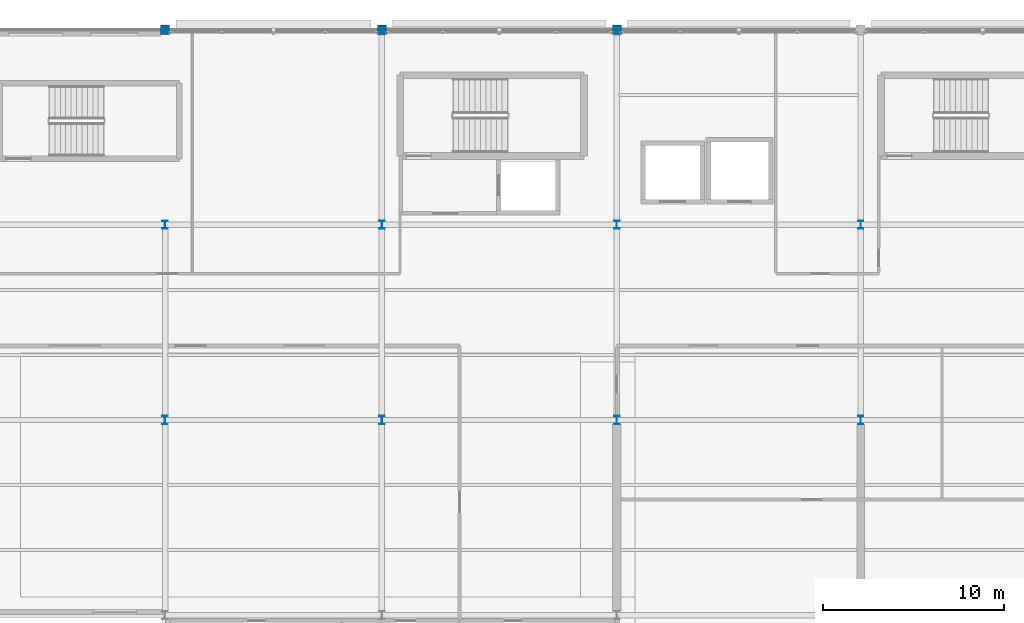
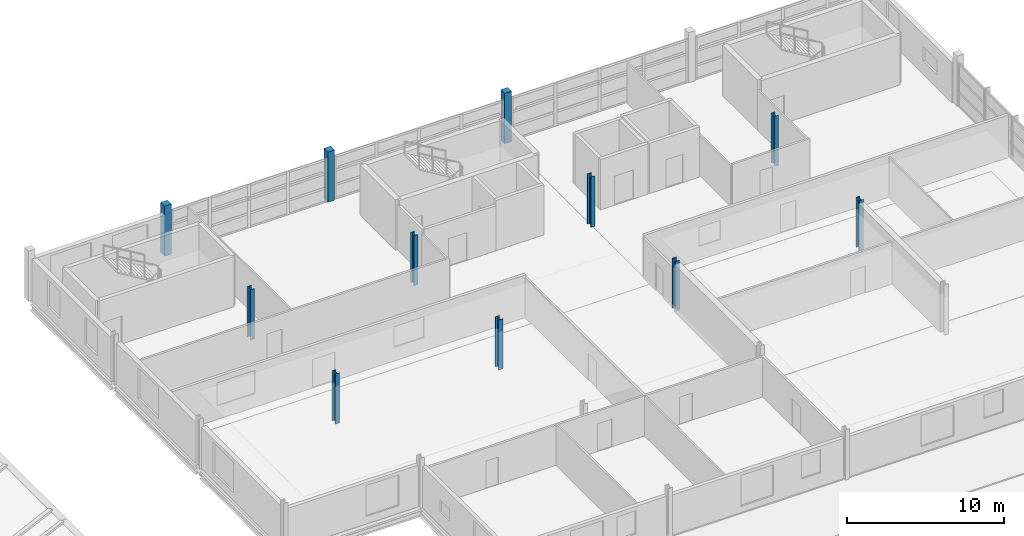
# One storey, part 8 of 110: 11 columns.
"""IFC4 building model written with IfcOpenShell, lengths in metres."""

from ifc_helpers import new_model, si_unit, direction, frame, origin, origin_2d, place, context, subcontext, project, spatial, rectangle, i_section, extrude, material, material_profile, profile_set, type_object, element, save


model = new_model("IFC4")

# Units and contexts
model_context = context("Model", 3, precision=1e-05, world=origin(), true_north=direction((0.0, 1.0)))
body_context = subcontext(model_context, "Body", "Model", "MODEL_VIEW")
ifc_project = project(units=[si_unit("LENGTHUNIT", "METRE"), si_unit("AREAUNIT", "SQUARE_METRE"), si_unit("VOLUMEUNIT", "CUBIC_METRE"), si_unit("PLANEANGLEUNIT", "RADIAN"), si_unit("MASSUNIT", "GRAM", prefix="KILO")], contexts=[model_context])

# Site, building, storey
site_placement = place(None, origin())
site = spatial("IfcSite", under=ifc_project, at=site_placement, CompositionType="ELEMENT")
building_placement = place(site_placement, origin())
building = spatial("IfcBuilding", under=site, at=building_placement, Name="Tamarisk Ironworks Central Station", CompositionType="ELEMENT")
storey_placement = place(building_placement, frame((0.0, 0.0, 17.39990234375)))
storey = spatial("IfcBuildingStorey", under=building, at=storey_placement, Name="L03", CompositionType="ELEMENT", Elevation=17.39990234375)

# Columns
ifc_material_1 = material(Name="Concrete C50/60", Category="concrete")
ifc_material_profile_1 = material_profile(ifc_material_1, rectangle(XDim=0.5, YDim=0.5, at=origin_2d()), Name="RC 500x500")
ifc_profile_set_1 = profile_set([ifc_material_profile_1], Name="Concrete C50/60")
column_type_1 = type_object("IfcColumnType", Name="COL-RC04", PredefinedType="COLUMN", material=ifc_profile_set_1)
for number, where, z_axis, x_axis, name in (
    (1, (128.0, 122.39990234375, 0.0), (0.0, 0.0, 1.0), (1.0, 0.0, 0.0), "L03 column V5-16N"),
    (2, (140.0, 122.39990234375, 0.0), (0.0, 0.0, 1.0), (1.0, 0.0, 0.0), "L03 column V5-17N"),
    (3, (153.0, 122.39990234375, 0.0), (0.0, 0.0, 1.0), (1.0, 0.0, 0.0), "L03 column V5-18N"),
):
    element("IfcColumn", number, at=place(storey_placement, frame(where, z_axis=z_axis, x_axis=x_axis)), inside=storey, type_object=column_type_1, Name=name, PredefinedType="COLUMN", context=body_context, shape_type="SweptSolid", body=[
        extrude(rectangle(XDim=0.5, YDim=0.5, at=origin_2d()), origin(), (0.0, 0.0, 1.0), 3.900146484375),
    ])
ifc_material_2 = material(Name="Structural steel S355J2", Category="steel")
ifc_material_profile_2 = material_profile(ifc_material_2, i_section(OverallWidth=0.300048828125, OverallDepth=0.449951171875, WebThickness=0.013916015625, FlangeThickness=0.02587890625, at=origin_2d()), Name="HEB 450")
ifc_profile_set_2 = profile_set([ifc_material_profile_2], Name="Structural steel S355J2")
column_type_2 = type_object("IfcColumnType", Name="COL-S08", PredefinedType="COLUMN", material=ifc_profile_set_2)
for number, where, z_axis, x_axis, name in (
    (4, (128.0, 100.800048828125, 0.0), (0.0, 0.0, 1.0), (1.0, 0.0, 0.0), "L03 column V5-16J"),
    (5, (128.0, 111.60009765625, 0.0), (0.0, 0.0, 1.0), (1.0, 0.0, 0.0), "L03 column V5-16L"),
    (6, (140.0, 100.800048828125, 0.0), (0.0, 0.0, 1.0), (1.0, 0.0, 0.0), "L03 column V5-17J"),
    (7, (140.0, 111.60009765625, 0.0), (0.0, 0.0, 1.0), (1.0, 0.0, 0.0), "L03 column V5-17L"),
    (8, (153.0, 100.800048828125, 0.0), (0.0, 0.0, 1.0), (1.0, 0.0, 0.0), "L03 column V5-18J"),
    (9, (153.0, 111.60009765625, 0.0), (0.0, 0.0, 1.0), (1.0, 0.0, 0.0), "L03 column V5-18L"),
    (10, (166.5, 100.800048828125, 0.0), (0.0, 0.0, 1.0), (1.0, 0.0, 0.0), "L03 column V5-19J"),
    (11, (166.5, 111.60009765625, 0.0), (0.0, 0.0, 1.0), (1.0, 0.0, 0.0), "L03 column V5-19L"),
):
    element("IfcColumn", number, at=place(storey_placement, frame(where, z_axis=z_axis, x_axis=x_axis)), inside=storey, type_object=column_type_2, Name=name, PredefinedType="COLUMN", context=body_context, shape_type="SweptSolid", body=[
        extrude(i_section(OverallWidth=0.300048828125, OverallDepth=0.449951171875, WebThickness=0.013916015625, FlangeThickness=0.02587890625, at=origin_2d()), origin(), (0.0, 0.0, 1.0), 3.900146484375),
    ])

save(model, "model.ifc")
